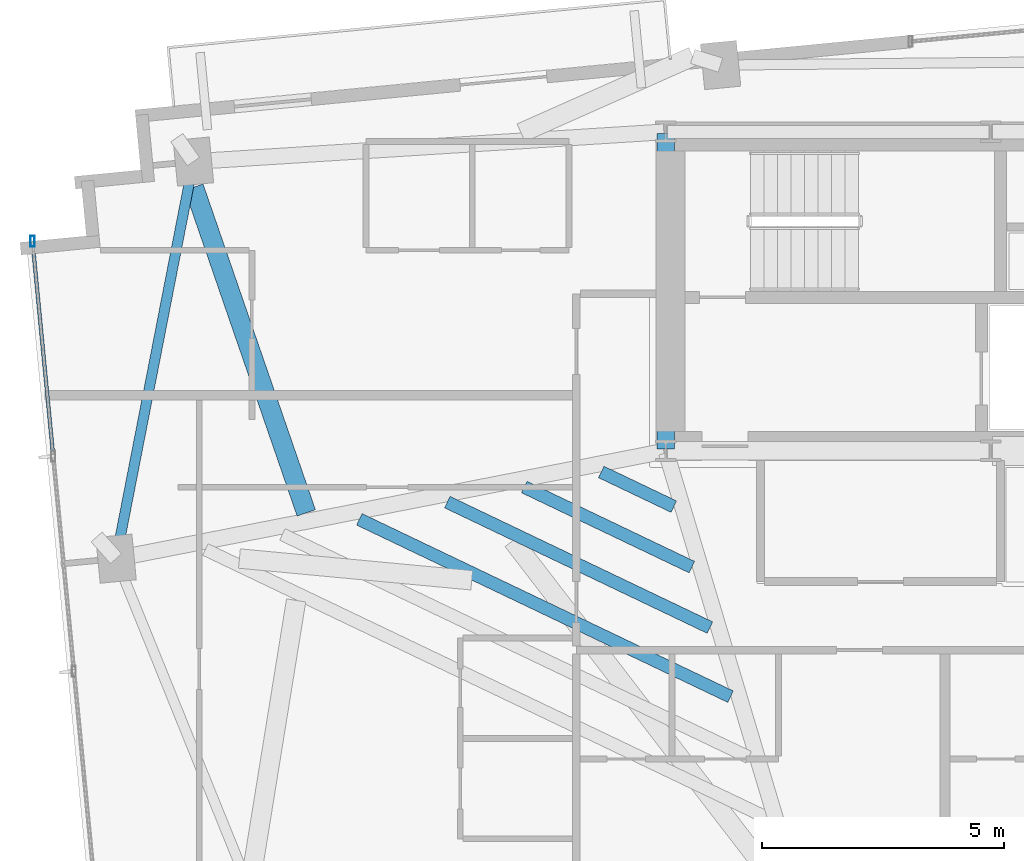
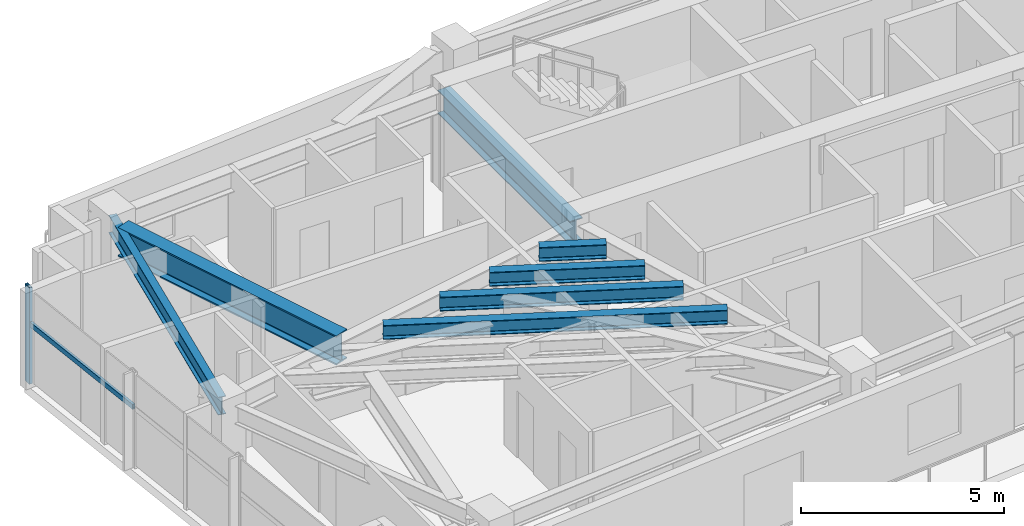
# One storey, part 3 of 18: 7 beams, 2 members, 1 element without a shape of its own.
"""IFC4 building model written with IfcOpenShell, lengths in metres."""

from ifc_helpers import new_model, si_unit, direction, frame, origin, origin_2d, place, context, subcontext, project, spatial, hollow_rectangle, i_section, extrude, source, transform, mapped, material, material_profile, profile_set, type_object, type_shapes, element, aggregate, save


model = new_model("IFC4")

# Units and contexts
model_context = context("Model", 3, precision=1e-05, world=origin(), true_north=direction((0.0, 1.0)))
body_context = subcontext(model_context, "Body", "Model", "MODEL_VIEW")
ifc_project = project(units=[si_unit("LENGTHUNIT", "METRE"), si_unit("AREAUNIT", "SQUARE_METRE"), si_unit("VOLUMEUNIT", "CUBIC_METRE"), si_unit("PLANEANGLEUNIT", "RADIAN"), si_unit("MASSUNIT", "GRAM", prefix="KILO")], contexts=[model_context])

# Site, building, storey
site_placement = place(None, origin())
site = spatial("IfcSite", under=ifc_project, at=site_placement, CompositionType="ELEMENT")
building_placement = place(site_placement, origin())
building = spatial("IfcBuilding", under=site, at=building_placement, Name="Astriad Promenade Condominiums", CompositionType="ELEMENT")
storey_placement = place(building_placement, frame((0.0, 0.0, 208.199951171875)))
storey = spatial("IfcBuildingStorey", under=building, at=storey_placement, Name="L60", CompositionType="ELEMENT", Elevation=208.199951171875)

# Beams
ifc_material_1 = material(Name="Steel ASTM A992 Grade 50", Category="steel")
ifc_material_profile_1 = material_profile(ifc_material_1, i_section(OverallWidth=0.35791015625, OverallDepth=0.706298828125, WebThickness=0.018310546875, FlangeThickness=0.0302734375, FilletRadius=0.020263671875, at=origin_2d()), Name="W27X178")
ifc_profile_set_1 = profile_set([ifc_material_profile_1], Name="Steel ASTM A992 Grade 50")
beam_type_1 = type_object("IfcBeamType", Name="STEEL FLOOR GIRDER W27X178", PredefinedType="BEAM", material=ifc_profile_set_1)
shared_shape_1 = source(origin(), body_context, "Body", "SweptSolid", [
    extrude(i_section(OverallWidth=0.35791015625, OverallDepth=0.706298828125, WebThickness=0.018310546875, FlangeThickness=0.0302734375, FilletRadius=0.020263671875, at=origin_2d()), origin(), (0.0, 0.0, 1.0), 6.52001953125),
])
type_shapes(beam_type_1, [shared_shape_1])
beam_1_placement = place(storey_placement, frame((26.39990234375, 17.43994140625, 2.546875), z_axis=(0.0, 1.0, 0.0), x_axis=(-1.0, 0.0, 0.0)))
element("IfcBeam", 1, at=beam_1_placement, inside=storey, type_object=beam_type_1, Name="Core Ring Beam CG-W1-L60", PredefinedType="BEAM", context=body_context, shape_type="MappedRepresentation", body=[
    mapped(shared_shape_1, transform((0.0, 0.0, 0.0), scale=1.0)),
])
ifc_material_profile_2 = material_profile(ifc_material_1, i_section(OverallWidth=0.210693359375, OverallDepth=0.53955078125, WebThickness=0.01171875, FlangeThickness=0.018798828125, FilletRadius=0.0166015625, at=origin_2d()), Name="W21X73")
ifc_profile_set_2 = profile_set([ifc_material_profile_2], Name="Steel ASTM A992 Grade 50")
beam_type_2 = type_object("IfcBeamType", Name="STEEL SPANDREL BEAM W21X73", PredefinedType="SPANDREL", material=ifc_profile_set_2)
shared_shape_2 = source(origin(), body_context, "Body", "SweptSolid", [
    extrude(i_section(OverallWidth=0.210693359375, OverallDepth=0.53955078125, WebThickness=0.01171875, FlangeThickness=0.018798828125, FilletRadius=0.0166015625, at=origin_2d()), origin(), (0.0, 0.0, 1.0), 8.28564453125),
])
type_shapes(beam_type_2, [shared_shape_2])
beam_2_placement = place(storey_placement, frame((16.62451171875, 23.3447265625, 2.63037109375), z_axis=(-0.191291582099, -0.981533254973, 0.0), x_axis=(0.981533254973, -0.191291582099, 0.0)))
element("IfcBeam", 2, at=beam_2_placement, inside=storey, type_object=beam_type_2, Name="Perimeter Spandrel Beam SP-W2-L60", PredefinedType="SPANDREL", context=body_context, shape_type="MappedRepresentation", body=[
    mapped(shared_shape_2, transform((0.0, 0.0, 0.0), scale=1.0)),
])
ifc_material_profile_3 = material_profile(ifc_material_1, i_section(OverallWidth=0.26318359375, OverallDepth=0.425537109375, WebThickness=0.01318359375, FlangeThickness=0.022216796875, FilletRadius=0.013916015625, at=origin_2d()), Name="W16X89")
ifc_profile_set_3 = profile_set([ifc_material_profile_3], Name="Steel ASTM A992 Grade 50")
beam_type_3 = type_object("IfcBeamType", Name="STEEL FLOOR JOIST W16X89", PredefinedType="JOIST", material=ifc_profile_set_3)
shared_shape_3 = source(origin(), body_context, "Body", "SweptSolid", [
    extrude(i_section(OverallWidth=0.26318359375, OverallDepth=0.425537109375, WebThickness=0.01318359375, FlangeThickness=0.022216796875, FilletRadius=0.013916015625, at=origin_2d()), origin(), (0.0, 0.0, 1.0), 8.508056640625),
])
beam_3_placement = place(storey_placement, frame((20.06298828125, 15.985595703125, 2.687255859375), z_axis=(0.902339530667, -0.431025952113, 0.0), x_axis=(0.431025952113, 0.902339530667, 0.0)))
element("IfcBeam", 3, at=beam_3_placement, inside=storey, type_object=beam_type_3, Name="Secondary Composite Floor Joist JW1-3-L60", PredefinedType="JOIST", context=body_context, shape_type="MappedRepresentation", body=[
    mapped(shared_shape_3, transform((0.0, 0.0, 0.0), scale=1.0)),
])
shared_shape_4 = source(origin(), body_context, "Body", "SweptSolid", [
    extrude(i_section(OverallWidth=0.26318359375, OverallDepth=0.425537109375, WebThickness=0.01318359375, FlangeThickness=0.022216796875, FilletRadius=0.013916015625, at=origin_2d()), origin(), (0.0, 0.0, 1.0), 6.01904296875),
])
beam_4_placement = place(storey_placement, frame((21.882080078125, 16.342041015625, 2.687255859375), z_axis=(0.902329759838, -0.431046406446, 0.0), x_axis=(0.431046406446, 0.902329759838, 0.0)))
element("IfcBeam", 4, at=beam_4_placement, inside=storey, type_object=beam_type_3, Name="Secondary Composite Floor Joist JW1-4-L60", PredefinedType="JOIST", context=body_context, shape_type="MappedRepresentation", body=[
    mapped(shared_shape_4, transform((0.0, 0.0, 0.0), scale=1.0)),
])
shared_shape_5 = source(origin(), body_context, "Body", "SweptSolid", [
    extrude(i_section(OverallWidth=0.26318359375, OverallDepth=0.425537109375, WebThickness=0.01318359375, FlangeThickness=0.022216796875, FilletRadius=0.013916015625, at=origin_2d()), origin(), (0.0, 0.0, 1.0), 3.84130859375),
])
beam_5_placement = place(storey_placement, frame((23.473388671875, 16.65380859375, 2.687255859375), z_axis=(0.902328811953, -0.431048390693, 0.0), x_axis=(0.431048390693, 0.902328811953, 0.0)))
element("IfcBeam", 5, at=beam_5_placement, inside=storey, type_object=beam_type_3, Name="Secondary Composite Floor Joist JW1-5-L60", PredefinedType="JOIST", context=body_context, shape_type="MappedRepresentation", body=[
    mapped(shared_shape_5, transform((0.0, 0.0, 0.0), scale=1.0)),
])
shared_shape_6 = source(origin(), body_context, "Body", "SweptSolid", [
    extrude(i_section(OverallWidth=0.26318359375, OverallDepth=0.425537109375, WebThickness=0.01318359375, FlangeThickness=0.022216796875, FilletRadius=0.013916015625, at=origin_2d()), origin(), (0.0, 0.0, 1.0), 1.6630859375),
])
type_shapes(beam_type_3, [shared_shape_3, shared_shape_4, shared_shape_5, shared_shape_6])
beam_6_placement = place(storey_placement, frame((25.065185546875, 16.965576171875, 2.687255859375), z_axis=(0.902355200591, -0.430993146077, 0.0), x_axis=(0.430993146077, 0.902355200591, 0.0)))
element("IfcBeam", 6, at=beam_6_placement, inside=storey, type_object=beam_type_3, Name="Secondary Composite Floor Joist JW1-6-L60", PredefinedType="JOIST", context=body_context, shape_type="MappedRepresentation", body=[
    mapped(shared_shape_6, transform((0.0, 0.0, 0.0), scale=1.0)),
])
ifc_material_profile_4 = material_profile(ifc_material_1, i_section(OverallWidth=0.4013671875, OverallDepth=0.877197265625, WebThickness=0.022216796875, FlangeThickness=0.039794921875, FilletRadius=0.02294921875, at=origin_2d()), Name="W33X263")
ifc_profile_set_4 = profile_set([ifc_material_profile_4], Name="Steel ASTM A992 Grade 50")
beam_type_4 = type_object("IfcBeamType", Name="STEEL TRANSFER CARRIER GIRDER W33X263", PredefinedType="BEAM", material=ifc_profile_set_4)
shared_shape_7 = source(origin(), body_context, "Body", "SweptSolid", [
    extrude(i_section(OverallWidth=0.4013671875, OverallDepth=0.877197265625, WebThickness=0.022216796875, FlangeThickness=0.039794921875, FilletRadius=0.02294921875, at=origin_2d()), origin(), (0.0, 0.0, 1.0), 7.125),
])
type_shapes(beam_type_4, [shared_shape_7])
beam_7_placement = place(storey_placement, frame((18.96533203125, 16.120361328125, 2.461669921875), z_axis=(-0.326140632484, 0.945321261711, 0.0), x_axis=(-0.945321261711, -0.326140632484, 0.0)))
element("IfcBeam", 7, at=beam_7_placement, inside=storey, type_object=beam_type_4, Name="Transfer Splice Carrier TRM-SP-PC06-L60", PredefinedType="BEAM", context=body_context, shape_type="MappedRepresentation", body=[
    mapped(shared_shape_7, transform((0.0, 0.0, 0.0), scale=1.0)),
])

# Curtain wall, members
ifc_material_2 = material(Name="Anodised aluminium Black Dark Glass Unitised", Category="aluminium")
curtain_wall_type = type_object("IfcCurtainWallType", Name="CW-B34-DARK", PredefinedType="USERDEFINED", material=ifc_material_2)
curtain_wall_placement = place(storey_placement, origin())
curtain_wall = element("IfcCurtainWall", 8, at=curtain_wall_placement, inside=storey, type_object=curtain_wall_type, Name="CW-L60-W", ObjectType="UNITISED_CURTAIN_WALL", PredefinedType="USERDEFINED")
ifc_material_3 = material(Name="Anodised aluminium 6063-T6 Black", Category="aluminium")
ifc_material_profile_5 = material_profile(ifc_material_3, hollow_rectangle(XDim=0.074951171875, YDim=0.14990234375, WallThickness=0.004150390625, at=origin_2d()), Name="ALU-TRN-75X150")
ifc_profile_set_5 = profile_set([ifc_material_profile_5], Name="Anodised aluminium 6063-T6 Black")
member_type_1 = type_object("IfcMemberType", Name="TRN-ALU-TRN-75X150", PredefinedType="USERDEFINED", material=ifc_profile_set_5)
shared_shape_8 = source(origin(), body_context, "Body", "SweptSolid", [
    extrude(hollow_rectangle(XDim=0.074951171875, YDim=0.14990234375, WallThickness=0.004150390625, at=origin_2d()), origin(), (0.0, 0.0, 1.0), 4.466552734375),
])
type_shapes(member_type_1, [shared_shape_8])
member_1_placement = place(storey_placement, frame((13.732666015625, 17.29150390625, 1.798095703125), z_axis=(-0.095817598554, 0.995398908884, 0.0), x_axis=(-0.995398908884, -0.095817598554, 0.0)))
member_1 = element("IfcMember", 9, at=member_1_placement, type_object=member_type_1, Name="CW-L60-W-TRN-02-0", ObjectType="TRANSOM", PredefinedType="USERDEFINED", context=body_context, shape_type="MappedRepresentation", body=[
    mapped(shared_shape_8, transform((0.0, 0.0, 0.0), scale=1.0)),
])
ifc_material_profile_6 = material_profile(ifc_material_3, hollow_rectangle(XDim=0.0849609375, YDim=0.219970703125, WallThickness=0.0048828125, at=origin_2d()), Name="ALU-MUL-85X220")
ifc_profile_set_6 = profile_set([ifc_material_profile_6], Name="Anodised aluminium 6063-T6 Black")
member_type_2 = type_object("IfcMemberType", Name="MUL-ALU-MUL-85X220", PredefinedType="MULLION", material=ifc_profile_set_6)
shared_shape_9 = source(origin(), body_context, "Body", "SweptSolid", [
    extrude(hollow_rectangle(XDim=0.0849609375, YDim=0.219970703125, WallThickness=0.0048828125, at=origin_2d()), origin(), (0.0, 0.0, 1.0), 2.900146484375),
])
type_shapes(member_type_2, [shared_shape_9])
member_2_placement = place(storey_placement, frame((13.3046875, 21.737548828125, 0.0), z_axis=(0.0, 0.0, 1.0), x_axis=(1.0, 0.0, 0.0)))
member_2 = element("IfcMember", 10, at=member_2_placement, type_object=member_type_2, Name="CW-L60-W-MUL-03", PredefinedType="MULLION", context=body_context, shape_type="MappedRepresentation", body=[
    mapped(shared_shape_9, transform((0.0, 0.0, 0.0), scale=1.0)),
])
aggregate(curtain_wall, [member_2, member_1])

save(model, "model.ifc")
